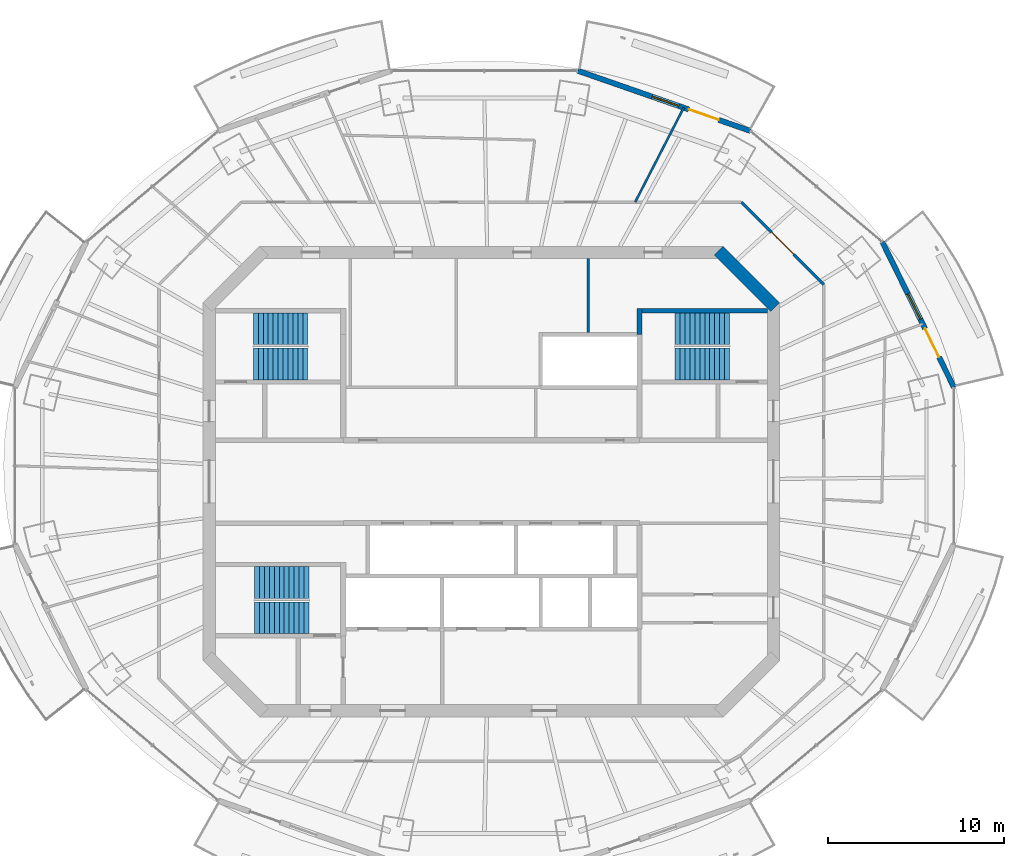
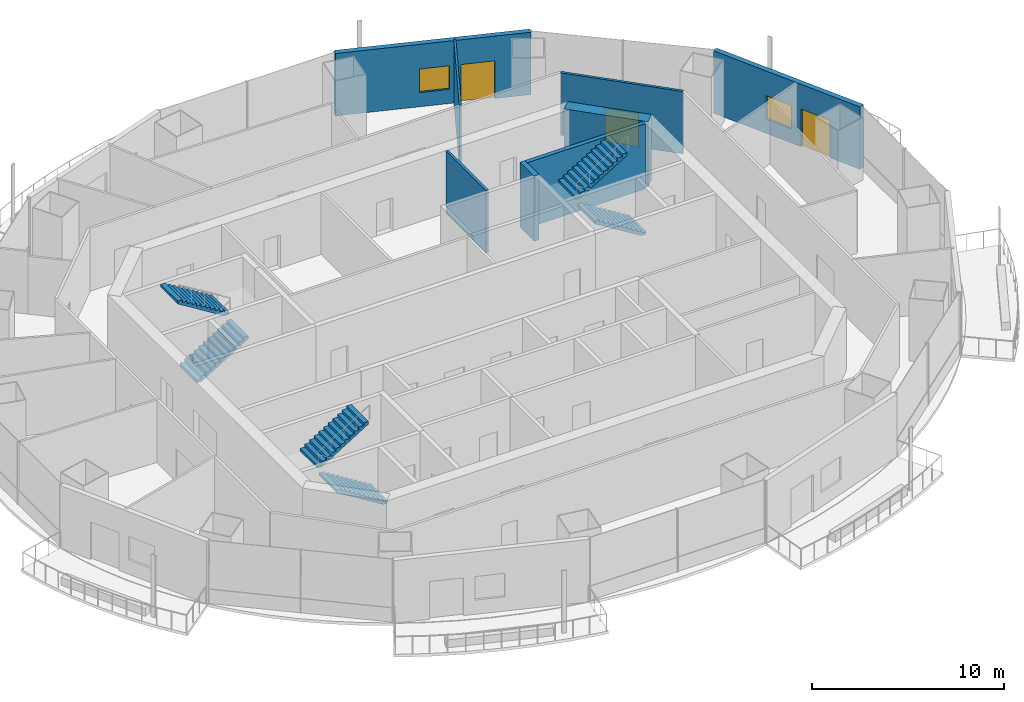
# One storey, part 11 of 16: 8 walls, 6 stair flights, 3 doors, 2 windows, 5 openings, 3 elements without a shape of their own.
"""IFC4 building model written with IfcOpenShell, lengths in metres."""

from ifc_helpers import new_model, si_unit, direction, frame, frame_2d, origin, place, context, subcontext, project, spatial, polyline, rectangle, outline, extrude, material, layer, layer_set, type_object, element, fill, aggregate, save


model = new_model("IFC4")

# Units and contexts
model_context = context("Model", 3, precision=1e-05, world=origin(), true_north=direction((0.0, 1.0)))
body_context = subcontext(model_context, "Body", "Model", "MODEL_VIEW")
ifc_project = project(units=[si_unit("LENGTHUNIT", "METRE"), si_unit("AREAUNIT", "SQUARE_METRE"), si_unit("VOLUMEUNIT", "CUBIC_METRE"), si_unit("PLANEANGLEUNIT", "RADIAN"), si_unit("MASSUNIT", "GRAM", prefix="KILO")], contexts=[model_context])

# Site, building, storey
site_placement = place(None, origin())
site = spatial("IfcSite", under=ifc_project, at=site_placement, CompositionType="ELEMENT")
building_placement = place(site_placement, origin())
building = spatial("IfcBuilding", under=site, at=building_placement, Name="Marenthal Gate Tower", CompositionType="ELEMENT")
storey_placement = place(building_placement, frame((0.0, 0.0, 334.300048828125)))
storey = spatial("IfcBuildingStorey", under=building, at=storey_placement, Name="L75", CompositionType="ELEMENT", Elevation=334.300048828125)

# Walls
ifc_material_1 = material(Name="Concrete 60 MPa", Category="concrete")
ifc_layer_1 = layer(ifc_material_1, 0.699951171875)
ifc_layer_set_1 = layer_set([ifc_layer_1], Name="Core shear wall 700")
wall_type_1 = type_object("IfcWallType", Name="Core shear wall 700", PredefinedType="SHEAR", material=ifc_layer_set_1)
wall_1_placement = place(storey_placement, frame((16.1025390625, 9.8974609375, -0.179931640625), z_axis=(0.0, 0.0, 1.0), x_axis=(-0.707106781187, 0.707106781187, 0.0)))
element("IfcWall", 1, at=wall_1_placement, inside=storey, type_object=wall_type_1, Name="Core wall 03", PredefinedType="SHEAR", context=body_context, shape_type="SweptSolid", body=[
    extrude(rectangle(XDim=4.53271484375, YDim=0.699951171875, at=frame_2d((2.266357421875, 0.0))), origin(), (0.0, 0.0, 1.0), 4.14990234375),
])
ifc_material_2 = material(Name="Gypsum board on steel studs", Category="steel")
ifc_layer_2 = layer(ifc_material_2, 0.1201171875)
ifc_layer_set_2 = layer_set([ifc_layer_2], Name="Partition 120")
wall_type_2 = type_object("IfcWallType", Name="Partition 120", PredefinedType="PARTITIONING", material=ifc_layer_set_2)
wall_2_placement = place(storey_placement, frame((8.150390625, 15.85009765625, 0.0), z_axis=(0.0, 0.0, 1.0), x_axis=(0.457314139227, 0.889305222105, 0.0)))
element("IfcWall", 2, at=wall_2_placement, inside=storey, type_object=wall_type_2, Name="Partition wall 65", PredefinedType="PARTITIONING", context=body_context, shape_type="SweptSolid", body=[
    extrude(rectangle(XDim=6.025634765625, YDim=0.1201171875, at=frame_2d((3.0126953125, 0.0))), origin(), (0.0, 0.0, 1.0), 3.969970703125),
])
ifc_material_3 = material(Name="Gypsum board on steel studs", Category="steel")
ifc_layer_3 = layer(ifc_material_3, 0.14990234375)
ifc_layer_set_3 = layer_set([ifc_layer_3], Name="Partition 150")
wall_type_3 = type_object("IfcWallType", Name="Partition 150", PredefinedType="PARTITIONING", material=ifc_layer_set_3)
wall_3_placement = place(storey_placement, frame((5.5, 8.4599609375, 0.0), z_axis=(0.0, 0.0, 1.0), x_axis=(0.0, 1.0, 0.0)))
element("IfcWall", 3, at=wall_3_placement, inside=storey, type_object=wall_type_3, Name="Partition wall 44", PredefinedType="PARTITIONING", context=body_context, shape_type="SweptSolid", body=[
    extrude(rectangle(XDim=4.18994140625, YDim=0.14990234375, at=frame_2d((2.094970703125, 0.0))), origin(), (0.0, 0.0, 1.0), 3.969970703125),
])

# Wall, opening, door
wall_4_placement = place(storey_placement, frame((14.180419921875, 15.85009765625, 0.0), z_axis=(0.0, 0.0, 1.0), x_axis=(0.707106781187, -0.707106781187, 0.0)))
wall_4 = element("IfcWall", 4, at=wall_4_placement, inside=storey, type_object=wall_type_3, Name="Partition wall 68", PredefinedType="PARTITIONING", context=body_context, shape_type="SweptSolid", body=[
    extrude(rectangle(XDim=6.60400390625, YDim=0.14990234375, at=frame_2d((3.302001953125, 0.0))), origin(), (0.0, 0.0, 1.0), 3.969970703125),
])
opening_1_placement = place(wall_4_placement, frame((2.402099609375, 0.0, 0.0)))
opening_1 = element("IfcOpeningElement", 5, at=opening_1_placement, cuts=wall_4, Name="Opening D014.01", PredefinedType="OPENING", context=body_context, shape_type="SweptSolid", body=[
    extrude(rectangle(XDim=1.800048828125, YDim=2.10009765625, at=frame_2d((0.89990234375, 1.050048828125))), frame((0.0, 0.0849609375, 0.0), z_axis=(0.0, -1.0, 0.0), x_axis=(1.0, 0.0, 0.0)), (0.0, 0.0, 1.0), 0.169921875),
])
ifc_material_4 = material(Name="Timber door", Category="wood")
door_type_1 = type_object("IfcDoorType", Name="Double door 1800 x 2100", OperationType="DOUBLE_DOOR_SINGLE_SWING", PredefinedType="DOOR", material=ifc_material_4)
door_1_placement = place(opening_1_placement, origin())
door_1 = element("IfcDoor", 6, at=door_1_placement, inside=storey, type_object=door_type_1, Name="Door D014.01", OperationType="DOUBLE_DOOR_SINGLE_SWING", OverallHeight=2.10009765625, OverallWidth=1.800048828125, PredefinedType="DOOR", context=body_context, shape_type="SweptSolid", body=[
    extrude(rectangle(XDim=1.800048828125, YDim=2.10009765625, at=frame_2d((0.89990234375, 1.050048828125))), frame((0.0, 0.02490234375, 0.0), z_axis=(0.0, -1.0, 0.0), x_axis=(1.0, 0.0, 0.0)), (0.0, 0.0, 1.0), 0.050048828125),
])
fill(opening_1, door_1)

# Walls
ifc_material_5 = material(Name="Concrete 50 MPa", Category="concrete")
ifc_layer_4 = layer(ifc_material_5, 0.25)
ifc_layer_set_4 = layer_set([ifc_layer_4], Name="Stair shear wall 250")
wall_type_4 = type_object("IfcWallType", Name="Stair shear wall 250", PredefinedType="SHEAR", material=ifc_layer_set_4)
wall_5_placement = place(storey_placement, frame((8.550048828125, 9.699951171875, -0.179931640625), z_axis=(0.0, 0.0, 1.0), x_axis=(1.0, 0.0, 0.0)))
element("IfcWall", 7, at=wall_5_placement, inside=storey, type_object=wall_type_4, Name="Stair wall 28", PredefinedType="SHEAR", context=body_context, shape_type="SweptSolid", body=[
    extrude(rectangle(XDim=7.099853515625, YDim=0.25, at=frame_2d((3.5498046875, 0.0))), origin(), (0.0, 0.0, 1.0), 4.14990234375),
])
ifc_material_6 = material(Name="Concrete 50 MPa", Category="concrete")
ifc_layer_5 = layer(ifc_material_6, 0.300048828125)
ifc_layer_set_5 = layer_set([ifc_layer_5], Name="Stair shear wall 300")
wall_type_5 = type_object("IfcWallType", Name="Stair shear wall 300", PredefinedType="SHEAR", material=ifc_layer_set_5)
wall_6_placement = place(storey_placement, frame((8.39990234375, 8.35009765625, -0.179931640625), z_axis=(0.0, 0.0, 1.0), x_axis=(0.0, 1.0, 0.0)))
element("IfcWall", 8, at=wall_6_placement, inside=storey, type_object=wall_type_5, Name="Stair wall 50", PredefinedType="SHEAR", context=body_context, shape_type="SweptSolid", body=[
    extrude(rectangle(XDim=1.474853515625, YDim=0.300048828125, at=frame_2d((0.7373046875, 0.0))), origin(), (0.0, 0.0, 1.0), 4.14990234375),
])

# Wall, openings, door, window
ifc_material_7 = material(Name="Terracotta cladding on insulated concrete-block backing", Category="masonry")
ifc_layer_6 = layer(ifc_material_7, 0.300048828125)
ifc_layer_set_6 = layer_set([ifc_layer_6], Name="Terracotta facade wall 300")
wall_type_6 = type_object("IfcWallType", Name="Terracotta facade wall 300", PredefinedType="SOLIDWALL", material=ifc_layer_set_6)
wall_7_placement = place(storey_placement, frame((26.227294921875, 5.356201171875, 0.0), z_axis=(0.0, 0.0, 1.0), x_axis=(-0.441682707494, 0.89717132472, 0.0)))
wall_7 = element("IfcWall", 9, at=wall_7_placement, inside=storey, type_object=wall_type_6, Name="Terracotta facade wall L75 bay 1", PredefinedType="SOLIDWALL", context=body_context, shape_type="SweptSolid", body=[
    extrude(rectangle(XDim=9.177978515625, YDim=0.300048828125, at=frame_2d((4.5888671875, 0.0))), origin(), (0.0, 0.0, 1.0), 3.969970703125),
])
opening_2_placement = place(wall_7_placement, frame((1.89990234375, 0.0, 0.0)))
opening_2 = element("IfcOpeningElement", 10, at=opening_2_placement, cuts=wall_7, Name="Opening BD-L75-01", PredefinedType="OPENING", context=body_context, shape_type="SweptSolid", body=[
    extrude(rectangle(XDim=1.800048828125, YDim=2.39990234375, at=frame_2d((0.89990234375, 1.199951171875))), frame((0.0, 0.16015625, 0.0), z_axis=(0.0, -1.0, 0.0), x_axis=(1.0, 0.0, 0.0)), (0.0, 0.0, 1.0), 0.320068359375),
])
opening_3_placement = place(wall_7_placement, frame((4.300048828125, 0.0, 0.89990234375)))
opening_3 = element("IfcOpeningElement", 11, at=opening_3_placement, cuts=wall_7, Name="Opening WN3-L75-01", PredefinedType="OPENING", context=body_context, shape_type="SweptSolid", body=[
    extrude(rectangle(XDim=1.60009765625, YDim=1.5, at=frame_2d((0.800048828125, 0.75))), frame((0.0, 0.16015625, 0.0), z_axis=(0.0, -1.0, 0.0), x_axis=(1.0, 0.0, 0.0)), (0.0, 0.0, 1.0), 0.320068359375),
])
ifc_material_8 = material(Name="Aluminium and glass", Category="aluminium")
door_type_2 = type_object("IfcDoorType", Name="Balcony door 1800x2400", OperationType="DOUBLE_DOOR_SINGLE_SWING", PredefinedType="DOOR", material=ifc_material_8)
door_2_placement = place(opening_2_placement, origin())
door_2 = element("IfcDoor", 12, at=door_2_placement, inside=storey, type_object=door_type_2, Name="Balcony door L75 bay 1", OperationType="SINGLE_SWING_LEFT", OverallHeight=2.39990234375, OverallWidth=1.800048828125, PredefinedType="DOOR", context=body_context, shape_type="SweptSolid", body=[
    extrude(rectangle(XDim=1.800048828125, YDim=2.39990234375, at=frame_2d((0.89990234375, 1.199951171875))), frame((0.0, 0.02490234375, 0.0), z_axis=(0.0, -1.0, 0.0), x_axis=(1.0, 0.0, 0.0)), (0.0, 0.0, 1.0), 0.050048828125),
])
fill(opening_2, door_2)
ifc_material_9 = material(Name="Aluminium and glass", Category="aluminium")
window_type = type_object("IfcWindowType", Name="Window 1600x1500", PartitioningType="DOUBLE_PANEL_VERTICAL", PredefinedType="WINDOW", material=ifc_material_9)
window_1_placement = place(opening_3_placement, origin())
window_1 = element("IfcWindow", 13, at=window_1_placement, inside=storey, type_object=window_type, Name="Window L75 bay 1", OverallHeight=1.5, OverallWidth=1.60009765625, PartitioningType="SINGLE_PANEL", PredefinedType="WINDOW", context=body_context, shape_type="SweptSolid", body=[
    extrude(rectangle(XDim=1.60009765625, YDim=1.5, at=frame_2d((0.800048828125, 0.75))), frame((0.0, 0.030029296875, 0.0), z_axis=(0.0, -1.0, 0.0), x_axis=(1.0, 0.0, 0.0)), (0.0, 0.0, 1.0), 0.06005859375),
])
fill(opening_3, window_1)

wall_8_placement = place(storey_placement, frame((14.68310546875, 19.892333984375, 0.0), z_axis=(0.0, 0.0, 1.0), x_axis=(-0.944291634301, 0.329109874341, 0.0)))
wall_8 = element("IfcWall", 14, at=wall_8_placement, inside=storey, type_object=wall_type_6, Name="Terracotta facade wall L75 bay 3", PredefinedType="SOLIDWALL", context=body_context, shape_type="SweptSolid", body=[
    extrude(rectangle(XDim=10.364013671875, YDim=0.300048828125, at=frame_2d((5.18212890625, 0.0))), origin(), (0.0, 0.0, 1.0), 3.969970703125),
])
opening_4_placement = place(wall_8_placement, frame((1.89990234375, 0.0, 0.0)))
opening_4 = element("IfcOpeningElement", 15, at=opening_4_placement, cuts=wall_8, Name="Opening BD-L75-03", PredefinedType="OPENING", context=body_context, shape_type="SweptSolid", body=[
    extrude(rectangle(XDim=1.800048828125, YDim=2.39990234375, at=frame_2d((0.89990234375, 1.199951171875))), frame((0.0, 0.16015625, 0.0), z_axis=(0.0, -1.0, 0.0), x_axis=(1.0, 0.0, 0.0)), (0.0, 0.0, 1.0), 0.320068359375),
])
opening_5_placement = place(wall_8_placement, frame((4.300048828125, 0.0, 0.89990234375)))
opening_5 = element("IfcOpeningElement", 16, at=opening_5_placement, cuts=wall_8, Name="Opening WN3-L75-03", PredefinedType="OPENING", context=body_context, shape_type="SweptSolid", body=[
    extrude(rectangle(XDim=1.60009765625, YDim=1.5, at=frame_2d((0.800048828125, 0.75))), frame((0.0, 0.16015625, 0.0), z_axis=(0.0, -1.0, 0.0), x_axis=(1.0, 0.0, 0.0)), (0.0, 0.0, 1.0), 0.320068359375),
])
door_3_placement = place(opening_4_placement, origin())
door_3 = element("IfcDoor", 17, at=door_3_placement, inside=storey, type_object=door_type_2, Name="Balcony door L75 bay 3", OperationType="SINGLE_SWING_LEFT", OverallHeight=2.39990234375, OverallWidth=1.800048828125, PredefinedType="DOOR", context=body_context, shape_type="SweptSolid", body=[
    extrude(rectangle(XDim=1.800048828125, YDim=2.39990234375, at=frame_2d((0.89990234375, 1.199951171875))), frame((0.0, 0.02490234375, 0.0), z_axis=(0.0, -1.0, 0.0), x_axis=(1.0, 0.0, 0.0)), (0.0, 0.0, 1.0), 0.050048828125),
])
fill(opening_4, door_3)
window_2_placement = place(opening_5_placement, origin())
window_2 = element("IfcWindow", 18, at=window_2_placement, inside=storey, type_object=window_type, Name="Window L75 bay 3", OverallHeight=1.5, OverallWidth=1.60009765625, PartitioningType="SINGLE_PANEL", PredefinedType="WINDOW", context=body_context, shape_type="SweptSolid", body=[
    extrude(rectangle(XDim=1.60009765625, YDim=1.5, at=frame_2d((0.800048828125, 0.75))), frame((0.0, 0.030029296875, 0.0), z_axis=(0.0, -1.0, 0.0), x_axis=(1.0, 0.0, 0.0)), (0.0, 0.0, 1.0), 0.06005859375),
])
fill(opening_5, window_2)

# Stair, stair flights
ifc_material_10 = material(Name="Concrete 40 MPa", Category="concrete")
stair_type = type_object("IfcStairType", Name="Exit stair 1800", PredefinedType="HALF_TURN_STAIR", material=ifc_material_10)
stair_1_placement = place(storey_placement, origin())
stair_1 = element("IfcStair", 19, at=stair_1_placement, inside=storey, type_object=stair_type, Name="Stair ST1", PredefinedType="HALF_TURN_STAIR")
ifc_material_11 = material(Name="Concrete 40 MPa", Category="concrete")
stair_flight_type = type_object("IfcStairFlightType", Name="Stair flight 1800", PredefinedType="STRAIGHT", material=ifc_material_11)
stair_flight_1_placement = place(storey_placement, frame((-13.5, 6.675048828125, 0.0), z_axis=(0.0, 0.0, 1.0), x_axis=(1.0, 0.0, 0.0)))
stair_flight_1 = element("IfcStairFlight", 20, at=stair_flight_1_placement, type_object=stair_flight_type, Name="ST1 flight 1", NumberOfRisers=12, NumberOfTreads=11, PredefinedType="STRAIGHT", RiserHeight=0.172916667, TreadLength=0.28, context=body_context, shape_type="SweptSolid", body=[
    extrude(outline(polyline([(0.0, 0.0), (0.0, 0.1728515625), (0.280029296875, 0.1728515625), (0.280029296875, 0.345947265625), (0.56005859375, 0.345947265625), (0.56005859375, 0.518798828125), (0.840087890625, 0.518798828125), (0.840087890625, 0.691650390625), (1.1201171875, 0.691650390625), (1.1201171875, 0.864501953125), (1.39990234375, 0.864501953125), (1.39990234375, 1.03759765625), (1.679931640625, 1.03759765625), (1.679931640625, 1.21044921875), (1.9599609375, 1.21044921875), (1.9599609375, 1.38330078125), (2.239990234375, 1.38330078125), (2.239990234375, 1.55615234375), (2.52001953125, 1.55615234375), (2.52001953125, 1.729248046875), (2.800048828125, 1.729248046875), (2.800048828125, 1.902099609375), (3.080078125, 1.902099609375), (3.080078125, 2.074951171875), (3.080078125, 1.725830078125), (0.285400390625, 0.0), (0.0, 0.0)])), frame((0.0, 0.89990234375, 0.0), z_axis=(0.0, -1.0, 0.0), x_axis=(1.0, 0.0, 0.0)), (0.0, 0.0, 1.0), 1.800048828125),
])
stair_flight_2_placement = place(storey_placement, frame((-10.419921875, 8.675048828125, 2.074951171875), z_axis=(0.0, 0.0, 1.0), x_axis=(-1.0, 0.0, 0.0)))
stair_flight_2 = element("IfcStairFlight", 21, at=stair_flight_2_placement, type_object=stair_flight_type, Name="ST1 flight 2", NumberOfRisers=12, NumberOfTreads=11, PredefinedType="STRAIGHT", RiserHeight=0.172916667, TreadLength=0.28, context=body_context, shape_type="SweptSolid", body=[
    extrude(outline(polyline([(0.0, 0.0), (0.0, 0.1728515625), (0.280029296875, 0.1728515625), (0.280029296875, 0.345947265625), (0.56005859375, 0.345947265625), (0.56005859375, 0.518798828125), (0.840087890625, 0.518798828125), (0.840087890625, 0.691650390625), (1.1201171875, 0.691650390625), (1.1201171875, 0.864501953125), (1.39990234375, 0.864501953125), (1.39990234375, 1.03759765625), (1.679931640625, 1.03759765625), (1.679931640625, 1.21044921875), (1.9599609375, 1.21044921875), (1.9599609375, 1.38330078125), (2.239990234375, 1.38330078125), (2.239990234375, 1.55615234375), (2.52001953125, 1.55615234375), (2.52001953125, 1.729248046875), (2.800048828125, 1.729248046875), (2.800048828125, 1.902099609375), (3.080078125, 1.902099609375), (3.080078125, 2.074951171875), (3.080078125, 1.725830078125), (0.285400390625, 0.0), (0.0, 0.0)])), frame((0.0, 0.89990234375, 0.0), z_axis=(0.0, -1.0, 0.0), x_axis=(1.0, 0.0, 0.0)), (0.0, 0.0, 1.0), 1.800048828125),
])
aggregate(stair_1, [stair_flight_1, stair_flight_2])

stair_2_placement = place(storey_placement, origin())
stair_2 = element("IfcStair", 22, at=stair_2_placement, inside=storey, type_object=stair_type, Name="Stair ST2", PredefinedType="HALF_TURN_STAIR")
stair_flight_3_placement = place(storey_placement, frame((-10.35009765625, -7.72509765625, 0.0), z_axis=(0.0, 0.0, 1.0), x_axis=(-1.0, 0.0, 0.0)))
stair_flight_3 = element("IfcStairFlight", 23, at=stair_flight_3_placement, type_object=stair_flight_type, Name="ST2 flight 1", NumberOfRisers=12, NumberOfTreads=11, PredefinedType="STRAIGHT", RiserHeight=0.172916667, TreadLength=0.28, context=body_context, shape_type="SweptSolid", body=[
    extrude(outline(polyline([(0.0, 0.0), (0.0, 0.1728515625), (0.280029296875, 0.1728515625), (0.280029296875, 0.345947265625), (0.56005859375, 0.345947265625), (0.56005859375, 0.518798828125), (0.840087890625, 0.518798828125), (0.840087890625, 0.691650390625), (1.1201171875, 0.691650390625), (1.1201171875, 0.864501953125), (1.39990234375, 0.864501953125), (1.39990234375, 1.03759765625), (1.679931640625, 1.03759765625), (1.679931640625, 1.21044921875), (1.9599609375, 1.21044921875), (1.9599609375, 1.38330078125), (2.239990234375, 1.38330078125), (2.239990234375, 1.55615234375), (2.52001953125, 1.55615234375), (2.52001953125, 1.729248046875), (2.800048828125, 1.729248046875), (2.800048828125, 1.902099609375), (3.080078125, 1.902099609375), (3.080078125, 2.074951171875), (3.080078125, 1.725830078125), (0.285400390625, 0.0), (0.0, 0.0)])), frame((0.0, 0.89990234375, 0.0), z_axis=(0.0, -1.0, 0.0), x_axis=(1.0, 0.0, 0.0)), (0.0, 0.0, 1.0), 1.800048828125),
])
stair_flight_4_placement = place(storey_placement, frame((-13.429931640625, -5.72509765625, 2.074951171875), z_axis=(0.0, 0.0, 1.0), x_axis=(1.0, 0.0, 0.0)))
stair_flight_4 = element("IfcStairFlight", 24, at=stair_flight_4_placement, type_object=stair_flight_type, Name="ST2 flight 2", NumberOfRisers=12, NumberOfTreads=11, PredefinedType="STRAIGHT", RiserHeight=0.172916667, TreadLength=0.28, context=body_context, shape_type="SweptSolid", body=[
    extrude(outline(polyline([(0.0, 0.0), (0.0, 0.1728515625), (0.280029296875, 0.1728515625), (0.280029296875, 0.345947265625), (0.56005859375, 0.345947265625), (0.56005859375, 0.518798828125), (0.840087890625, 0.518798828125), (0.840087890625, 0.691650390625), (1.1201171875, 0.691650390625), (1.1201171875, 0.864501953125), (1.39990234375, 0.864501953125), (1.39990234375, 1.03759765625), (1.679931640625, 1.03759765625), (1.679931640625, 1.21044921875), (1.9599609375, 1.21044921875), (1.9599609375, 1.38330078125), (2.239990234375, 1.38330078125), (2.239990234375, 1.55615234375), (2.52001953125, 1.55615234375), (2.52001953125, 1.729248046875), (2.800048828125, 1.729248046875), (2.800048828125, 1.902099609375), (3.080078125, 1.902099609375), (3.080078125, 2.074951171875), (3.080078125, 1.725830078125), (0.285400390625, 0.0), (0.0, 0.0)])), frame((0.0, 0.89990234375, 0.0), z_axis=(0.0, -1.0, 0.0), x_axis=(1.0, 0.0, 0.0)), (0.0, 0.0, 1.0), 1.800048828125),
])
aggregate(stair_2, [stair_flight_3, stair_flight_4])

stair_3_placement = place(storey_placement, origin())
stair_3 = element("IfcStair", 25, at=stair_3_placement, inside=storey, type_object=stair_type, Name="Stair ST3", PredefinedType="HALF_TURN_STAIR")
stair_flight_5_placement = place(storey_placement, frame((13.5, 6.675048828125, 0.0), z_axis=(0.0, 0.0, 1.0), x_axis=(-1.0, 0.0, 0.0)))
stair_flight_5 = element("IfcStairFlight", 26, at=stair_flight_5_placement, type_object=stair_flight_type, Name="ST3 flight 1", NumberOfRisers=12, NumberOfTreads=11, PredefinedType="STRAIGHT", RiserHeight=0.172916667, TreadLength=0.28, context=body_context, shape_type="SweptSolid", body=[
    extrude(outline(polyline([(0.0, 0.0), (0.0, 0.1728515625), (0.280029296875, 0.1728515625), (0.280029296875, 0.345947265625), (0.56005859375, 0.345947265625), (0.56005859375, 0.518798828125), (0.840087890625, 0.518798828125), (0.840087890625, 0.691650390625), (1.1201171875, 0.691650390625), (1.1201171875, 0.864501953125), (1.39990234375, 0.864501953125), (1.39990234375, 1.03759765625), (1.679931640625, 1.03759765625), (1.679931640625, 1.21044921875), (1.9599609375, 1.21044921875), (1.9599609375, 1.38330078125), (2.239990234375, 1.38330078125), (2.239990234375, 1.55615234375), (2.52001953125, 1.55615234375), (2.52001953125, 1.729248046875), (2.800048828125, 1.729248046875), (2.800048828125, 1.902099609375), (3.080078125, 1.902099609375), (3.080078125, 2.074951171875), (3.080078125, 1.725830078125), (0.285400390625, 0.0), (0.0, 0.0)])), frame((0.0, 0.89990234375, 0.0), z_axis=(0.0, -1.0, 0.0), x_axis=(1.0, 0.0, 0.0)), (0.0, 0.0, 1.0), 1.800048828125),
])
stair_flight_6_placement = place(storey_placement, frame((10.419921875, 8.675048828125, 2.074951171875), z_axis=(0.0, 0.0, 1.0), x_axis=(1.0, 0.0, 0.0)))
stair_flight_6 = element("IfcStairFlight", 27, at=stair_flight_6_placement, type_object=stair_flight_type, Name="ST3 flight 2", NumberOfRisers=12, NumberOfTreads=11, PredefinedType="STRAIGHT", RiserHeight=0.172916667, TreadLength=0.28, context=body_context, shape_type="SweptSolid", body=[
    extrude(outline(polyline([(0.0, 0.0), (0.0, 0.1728515625), (0.280029296875, 0.1728515625), (0.280029296875, 0.345947265625), (0.56005859375, 0.345947265625), (0.56005859375, 0.518798828125), (0.840087890625, 0.518798828125), (0.840087890625, 0.691650390625), (1.1201171875, 0.691650390625), (1.1201171875, 0.864501953125), (1.39990234375, 0.864501953125), (1.39990234375, 1.03759765625), (1.679931640625, 1.03759765625), (1.679931640625, 1.21044921875), (1.9599609375, 1.21044921875), (1.9599609375, 1.38330078125), (2.239990234375, 1.38330078125), (2.239990234375, 1.55615234375), (2.52001953125, 1.55615234375), (2.52001953125, 1.729248046875), (2.800048828125, 1.729248046875), (2.800048828125, 1.902099609375), (3.080078125, 1.902099609375), (3.080078125, 2.074951171875), (3.080078125, 1.725830078125), (0.285400390625, 0.0), (0.0, 0.0)])), frame((0.0, 0.89990234375, 0.0), z_axis=(0.0, -1.0, 0.0), x_axis=(1.0, 0.0, 0.0)), (0.0, 0.0, 1.0), 1.800048828125),
])
aggregate(stair_3, [stair_flight_5, stair_flight_6])

save(model, "model.ifc")
